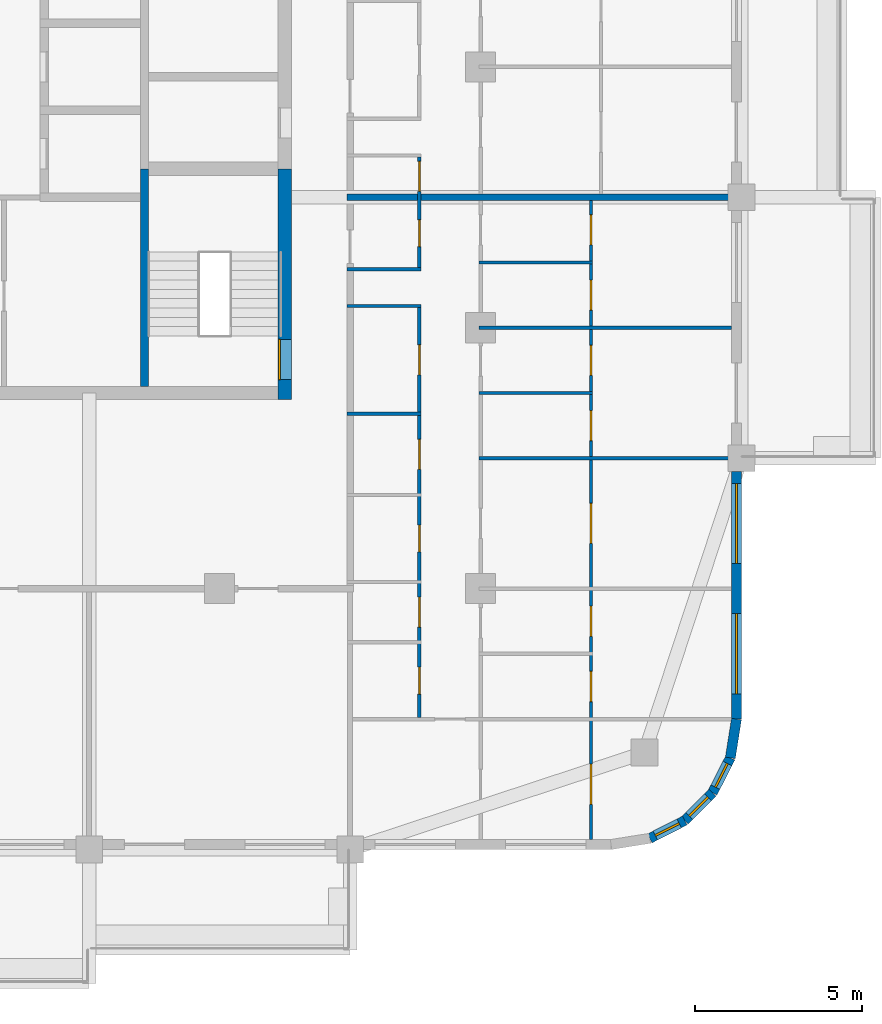
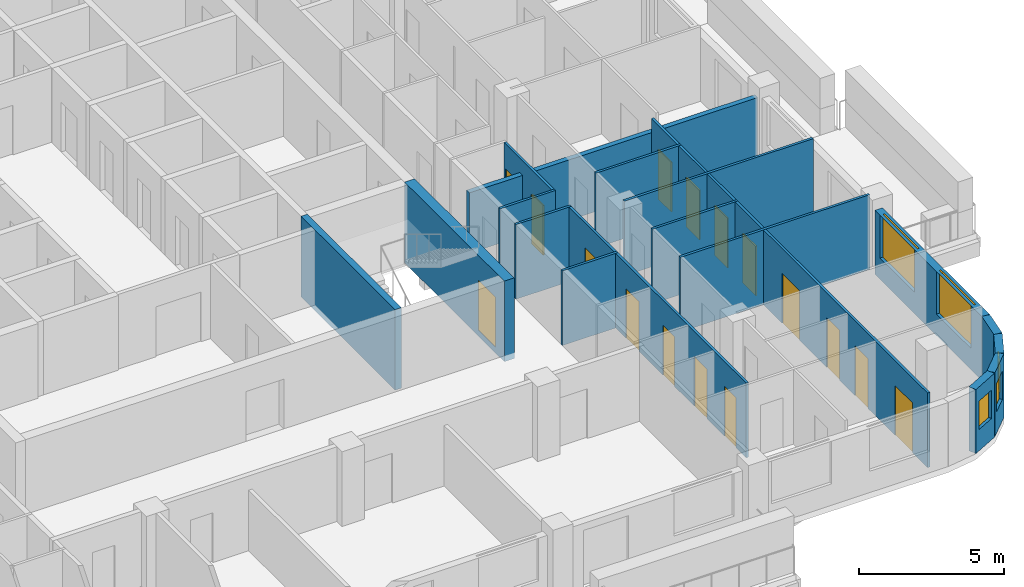
# One storey, part 6 of 16: 18 walls, 16 doors, 5 windows, 21 openings.
"""IFC4 building model written with IfcOpenShell, lengths in metres."""

from ifc_helpers import new_model, si_unit, direction, frame, frame_2d, origin, place, context, subcontext, project, spatial, rectangle, extrude, material, layer, layer_set, type_object, element, fill, save


model = new_model("IFC4")

# Units and contexts
model_context = context("Model", 3, precision=1e-05, world=origin(), true_north=direction((0.0, 1.0)))
body_context = subcontext(model_context, "Body", "Model", "MODEL_VIEW")
ifc_project = project(units=[si_unit("LENGTHUNIT", "METRE"), si_unit("AREAUNIT", "SQUARE_METRE"), si_unit("VOLUMEUNIT", "CUBIC_METRE"), si_unit("PLANEANGLEUNIT", "RADIAN"), si_unit("MASSUNIT", "GRAM", prefix="KILO")], contexts=[model_context])

# Site, building, storey
site_placement = place(None, origin())
site = spatial("IfcSite", under=ifc_project, at=site_placement, CompositionType="ELEMENT")
building_placement = place(site_placement, origin())
building = spatial("IfcBuilding", under=site, at=building_placement, Name="Ludao Terraces", CompositionType="ELEMENT")
storey_placement = place(building_placement, frame((0.0, 0.0, 204.10009765625)))
storey = spatial("IfcBuildingStorey", under=building, at=storey_placement, Name="L55", CompositionType="ELEMENT", Elevation=204.10009765625)

# Wall, opening, door
ifc_material_1 = material(Name="Concrete C50", Category="concrete")
ifc_layer_1 = layer(ifc_material_1, 0.39990234375)
ifc_layer_set_1 = layer_set([ifc_layer_1], Name="Core wall 400 C50")
wall_type_1 = type_object("IfcWallType", Name="Core wall 400 C50", PredefinedType="SOLIDWALL", material=ifc_layer_set_1)
wall_1_placement = place(storey_placement, frame((94.75, 55.050048828125, -0.25), z_axis=(0.0, 0.0, 1.0), x_axis=(0.0, 1.0, 0.0)))
wall_1 = element("IfcWall", 1, at=wall_1_placement, inside=storey, type_object=wall_type_1, Name="Core wall L55 outer-E-S3", PredefinedType="SOLIDWALL", context=body_context, shape_type="SweptSolid", body=[
    extrude(rectangle(XDim=6.89990234375, YDim=0.39990234375, at=frame_2d((3.449951171875, 0.0))), origin(), (0.0, 0.0, 1.0), 3.39990234375),
])
opening_1_placement = place(wall_1_placement, frame((0.60009765625, 0.0, 0.25)))
opening_1 = element("IfcOpeningElement", 2, at=opening_1_placement, cuts=wall_1, Name="Opening R20-037", PredefinedType="OPENING", context=body_context, shape_type="SweptSolid", body=[
    extrude(rectangle(XDim=1.199951171875, YDim=2.10009765625, at=frame_2d((0.60009765625, 1.050048828125))), frame((0.0, 0.2099609375, 0.0), z_axis=(0.0, -1.0, 0.0), x_axis=(1.0, 0.0, 0.0)), (0.0, 0.0, 1.0), 0.419921875),
])
ifc_material_2 = material(Name="Steel Q235", Category="steel")
door_type_1 = type_object("IfcDoorType", Name="INT Stair door 1200", OperationType="DOUBLE_DOOR_SINGLE_SWING", PredefinedType="DOOR", material=ifc_material_2)
door_1_placement = place(opening_1_placement, origin())
door_1 = element("IfcDoor", 3, at=door_1_placement, inside=storey, type_object=door_type_1, Name="DOOR 037", OperationType="DOUBLE_DOOR_SINGLE_SWING", OverallHeight=2.10009765625, OverallWidth=1.199951171875, PredefinedType="DOOR", context=body_context, shape_type="SweptSolid", body=[
    extrude(rectangle(XDim=1.199951171875, YDim=2.10009765625, at=frame_2d((0.60009765625, 1.050048828125))), frame((0.0, 0.18505859375, 0.0), z_axis=(0.0, -1.0, 0.0), x_axis=(1.0, 0.0, 0.0)), (0.0, 0.0, 1.0), 0.050048828125),
])
fill(opening_1, door_1)

# Wall, openings, windows
ifc_material_3 = material(Name="Granite cladding", Category="masonry")
ifc_layer_2 = layer(ifc_material_3, 0.0400390625, Category="stone")
ifc_material_4 = material(Name="Mineral wool")
ifc_layer_3 = layer(ifc_material_4, 0.06005859375)
ifc_material_5 = material(Name="Concrete C40", Category="concrete")
ifc_layer_4 = layer(ifc_material_5, 0.199951171875, Category="concrete")
ifc_layer_set_2 = layer_set([ifc_layer_2, ifc_layer_3, ifc_layer_4], Name="ENV Stone-clad wall 300")
wall_type_2 = type_object("IfcWallType", Name="ENV Stone-clad wall 300", PredefinedType="SOLIDWALL", material=ifc_layer_set_2)
wall_2_placement = place(storey_placement, frame((108.25, 45.5, 0.0), z_axis=(0.0, 0.0, 1.0), x_axis=(0.0, 1.0, 0.0)))
wall_2 = element("IfcWall", 4, at=wall_2_placement, inside=storey, type_object=wall_type_2, Name="EW-L55-E1", PredefinedType="SOLIDWALL", context=body_context, shape_type="SweptSolid", body=[
    extrude(rectangle(XDim=7.39990234375, YDim=0.300048828125, at=frame_2d((3.699951171875, 0.0))), origin(), (0.0, 0.0, 1.0), 2.699951171875),
])
opening_2_placement = place(wall_2_placement, frame((0.75, 0.0, 0.89990234375)))
opening_2 = element("IfcOpeningElement", 5, at=opening_2_placement, cuts=wall_2, Name="Opening W1", PredefinedType="OPENING", context=body_context, shape_type="SweptSolid", body=[
    extrude(rectangle(XDim=2.39990234375, YDim=1.800048828125, at=frame_2d((1.199951171875, 0.89990234375))), frame((0.0, 0.16015625, 0.0), z_axis=(0.0, -1.0, 0.0), x_axis=(1.0, 0.0, 0.0)), (0.0, 0.0, 1.0), 0.320068359375),
])
opening_3_placement = place(wall_2_placement, frame((4.64990234375, 0.0, 0.89990234375)))
opening_3 = element("IfcOpeningElement", 6, at=opening_3_placement, cuts=wall_2, Name="Opening W1", PredefinedType="OPENING", context=body_context, shape_type="SweptSolid", body=[
    extrude(rectangle(XDim=2.39990234375, YDim=1.800048828125, at=frame_2d((1.199951171875, 0.89990234375))), frame((0.0, 0.16015625, 0.0), z_axis=(0.0, -1.0, 0.0), x_axis=(1.0, 0.0, 0.0)), (0.0, 0.0, 1.0), 0.320068359375),
])
ifc_material_6 = material(Name="Clear glass in aluminium frame", Category="aluminium")
ifc_layer_5 = layer(ifc_material_6, 0.06005859375)
ifc_layer_set_3 = layer_set([ifc_layer_5], Name="ENV Window W1 2400x1800")
window_type_1 = type_object("IfcWindowType", Name="ENV Window W1 2400x1800", PartitioningType="DOUBLE_PANEL_VERTICAL", PredefinedType="WINDOW", material=ifc_layer_set_3)
window_1_placement = place(opening_2_placement, origin())
window_1 = element("IfcWindow", 7, at=window_1_placement, inside=storey, type_object=window_type_1, Name="W-L55-E1-1", OverallHeight=1.800048828125, OverallWidth=2.39990234375, PartitioningType="DOUBLE_PANEL_VERTICAL", PredefinedType="WINDOW", context=body_context, shape_type="SweptSolid", body=[
    extrude(rectangle(XDim=2.39990234375, YDim=1.800048828125, at=frame_2d((1.199951171875, 0.89990234375))), frame((0.0, 0.030029296875, 0.0), z_axis=(0.0, -1.0, 0.0), x_axis=(1.0, 0.0, 0.0)), (0.0, 0.0, 1.0), 0.06005859375),
])
fill(opening_2, window_1)
window_2_placement = place(opening_3_placement, origin())
window_2 = element("IfcWindow", 8, at=window_2_placement, inside=storey, type_object=window_type_1, Name="W-L55-E1-2", OverallHeight=1.800048828125, OverallWidth=2.39990234375, PartitioningType="DOUBLE_PANEL_VERTICAL", PredefinedType="WINDOW", context=body_context, shape_type="SweptSolid", body=[
    extrude(rectangle(XDim=2.39990234375, YDim=1.800048828125, at=frame_2d((1.199951171875, 0.89990234375))), frame((0.0, 0.030029296875, 0.0), z_axis=(0.0, -1.0, 0.0), x_axis=(1.0, 0.0, 0.0)), (0.0, 0.0, 1.0), 0.06005859375),
])
fill(opening_3, window_2)

# Wall, opening, window
wall_3_placement = place(storey_placement, frame((105.65869140625, 41.93359375, 0.0), z_axis=(0.0, 0.0, 1.0), x_axis=(0.890988677504, 0.454025524128, 0.0)))
wall_3 = element("IfcWall", 9, at=wall_3_placement, inside=storey, type_object=wall_type_2, Name="EW-L55-SE2", PredefinedType="SOLIDWALL", context=body_context, shape_type="SweptSolid", body=[
    extrude(rectangle(XDim=1.17333984375, YDim=0.300048828125, at=frame_2d((0.586669921875, 0.0))), origin(), (0.0, 0.0, 1.0), 2.699951171875),
])
opening_4_placement = place(wall_3_placement, frame((0.1865234375, 0.0, 0.89990234375)))
opening_4 = element("IfcOpeningElement", 10, at=opening_4_placement, cuts=wall_3, Name="Opening W3", PredefinedType="OPENING", context=body_context, shape_type="SweptSolid", body=[
    extrude(rectangle(XDim=0.800048828125, YDim=1.199951171875, at=frame_2d((0.39990234375, 0.60009765625))), frame((0.0, 0.16015625, 0.0), z_axis=(0.0, -1.0, 0.0), x_axis=(1.0, 0.0, 0.0)), (0.0, 0.0, 1.0), 0.320068359375),
])
ifc_layer_6 = layer(ifc_material_6, 0.06005859375)
ifc_layer_set_4 = layer_set([ifc_layer_6], Name="ENV Window W3 800x1200")
window_type_2 = type_object("IfcWindowType", Name="ENV Window W3 800x1200", PartitioningType="SINGLE_PANEL", PredefinedType="WINDOW", material=ifc_layer_set_4)
window_3_placement = place(opening_4_placement, origin())
window_3 = element("IfcWindow", 11, at=window_3_placement, inside=storey, type_object=window_type_2, Name="W-L55-SE2", OverallHeight=1.199951171875, OverallWidth=0.800048828125, PartitioningType="SINGLE_PANEL", PredefinedType="WINDOW", context=body_context, shape_type="SweptSolid", body=[
    extrude(rectangle(XDim=0.800048828125, YDim=1.199951171875, at=frame_2d((0.39990234375, 0.60009765625))), frame((0.0, 0.030029296875, 0.0), z_axis=(0.0, -1.0, 0.0), x_axis=(1.0, 0.0, 0.0)), (0.0, 0.0, 1.0), 0.06005859375),
])
fill(opening_4, window_3)

wall_4_placement = place(storey_placement, frame((106.7041015625, 42.46630859375, 0.0), z_axis=(0.0, 0.0, 1.0), x_axis=(0.707106781187, 0.707106781187, 0.0)))
wall_4 = element("IfcWall", 12, at=wall_4_placement, inside=storey, type_object=wall_type_2, Name="EW-L55-SE3", PredefinedType="SOLIDWALL", context=body_context, shape_type="SweptSolid", body=[
    extrude(rectangle(XDim=1.173095703125, YDim=0.300048828125, at=frame_2d((0.58642578125, 0.0))), origin(), (0.0, 0.0, 1.0), 2.699951171875),
])
opening_5_placement = place(wall_4_placement, frame((0.1865234375, 0.0, 0.89990234375)))
opening_5 = element("IfcOpeningElement", 13, at=opening_5_placement, cuts=wall_4, Name="Opening W3", PredefinedType="OPENING", context=body_context, shape_type="SweptSolid", body=[
    extrude(rectangle(XDim=0.800048828125, YDim=1.199951171875, at=frame_2d((0.39990234375, 0.60009765625))), frame((0.0, 0.16015625, 0.0), z_axis=(0.0, -1.0, 0.0), x_axis=(1.0, 0.0, 0.0)), (0.0, 0.0, 1.0), 0.320068359375),
])
window_4_placement = place(opening_5_placement, origin())
window_4 = element("IfcWindow", 14, at=window_4_placement, inside=storey, type_object=window_type_2, Name="W-L55-SE3", OverallHeight=1.199951171875, OverallWidth=0.800048828125, PartitioningType="SINGLE_PANEL", PredefinedType="WINDOW", context=body_context, shape_type="SweptSolid", body=[
    extrude(rectangle(XDim=0.800048828125, YDim=1.199951171875, at=frame_2d((0.39990234375, 0.60009765625))), frame((0.0, 0.030029296875, 0.0), z_axis=(0.0, -1.0, 0.0), x_axis=(1.0, 0.0, 0.0)), (0.0, 0.0, 1.0), 0.06005859375),
])
fill(opening_5, window_4)

wall_5_placement = place(storey_placement, frame((107.53369140625, 43.2958984375, 0.0), z_axis=(0.0, 0.0, 1.0), x_axis=(0.454025524128, 0.890988677504, 0.0)))
wall_5 = element("IfcWall", 15, at=wall_5_placement, inside=storey, type_object=wall_type_2, Name="EW-L55-SE4", PredefinedType="SOLIDWALL", context=body_context, shape_type="SweptSolid", body=[
    extrude(rectangle(XDim=1.17333984375, YDim=0.300048828125, at=frame_2d((0.586669921875, 0.0))), origin(), (0.0, 0.0, 1.0), 2.699951171875),
])
opening_6_placement = place(wall_5_placement, frame((0.1865234375, 0.0, 0.89990234375)))
opening_6 = element("IfcOpeningElement", 16, at=opening_6_placement, cuts=wall_5, Name="Opening W3", PredefinedType="OPENING", context=body_context, shape_type="SweptSolid", body=[
    extrude(rectangle(XDim=0.800048828125, YDim=1.199951171875, at=frame_2d((0.39990234375, 0.60009765625))), frame((0.0, 0.16015625, 0.0), z_axis=(0.0, -1.0, 0.0), x_axis=(1.0, 0.0, 0.0)), (0.0, 0.0, 1.0), 0.320068359375),
])
window_5_placement = place(opening_6_placement, origin())
window_5 = element("IfcWindow", 17, at=window_5_placement, inside=storey, type_object=window_type_2, Name="W-L55-SE4", OverallHeight=1.199951171875, OverallWidth=0.800048828125, PartitioningType="SINGLE_PANEL", PredefinedType="WINDOW", context=body_context, shape_type="SweptSolid", body=[
    extrude(rectangle(XDim=0.800048828125, YDim=1.199951171875, at=frame_2d((0.39990234375, 0.60009765625))), frame((0.0, 0.030029296875, 0.0), z_axis=(0.0, -1.0, 0.0), x_axis=(1.0, 0.0, 0.0)), (0.0, 0.0, 1.0), 0.06005859375),
])
fill(opening_6, window_5)

# Walls
wall_6_placement = place(storey_placement, frame((108.06640625, 44.34130859375, 0.0), z_axis=(0.0, 0.0, 1.0), x_axis=(0.156496880861, 0.987678452879, 0.0)))
element("IfcWall", 18, at=wall_6_placement, inside=storey, type_object=wall_type_2, Name="EW-L55-SE5", PredefinedType="SOLIDWALL", context=body_context, shape_type="SweptSolid", body=[
    extrude(rectangle(XDim=1.173095703125, YDim=0.300048828125, at=frame_2d((0.58642578125, 0.0))), origin(), (0.0, 0.0, 1.0), 2.699951171875),
])
ifc_material_7 = material(Name="Gypsum plasterboard", Category="gypsum")
ifc_layer_7 = layer(ifc_material_7, 0.012451171875, Category="gypsum")
ifc_layer_8 = layer(ifc_material_4, 0.06005859375, Name="insulation")
ifc_layer_9 = layer(ifc_material_2, 0.014892578125, Name="stud")
ifc_layer_10 = layer(ifc_material_7, 0.012451171875, Category="gypsum")
ifc_layer_set_5 = layer_set([ifc_layer_7, ifc_layer_8, ifc_layer_9, ifc_layer_10], Name="INT Partition 100")
wall_type_3 = type_object("IfcWallType", Name="INT Partition 100", PredefinedType="PARTITIONING", material=ifc_layer_set_5)
wall_7_placement = place(storey_placement, frame((100.550048828125, 53.300048828125, 0.0), z_axis=(0.0, 0.0, 1.0), x_axis=(1.0, 0.0, 0.0)))
element("IfcWall", 19, at=wall_7_placement, inside=storey, type_object=wall_type_3, Name="PW-L55-PW013", PredefinedType="PARTITIONING", context=body_context, shape_type="SweptSolid", body=[
    extrude(rectangle(XDim=7.550048828125, YDim=0.10009765625, at=frame_2d((3.77490234375, 0.0))), origin(), (0.0, 0.0, 1.0), 3.14990234375),
])
wall_8_placement = place(storey_placement, frame((96.60009765625, 54.6298828125, 0.0), z_axis=(0.0, 0.0, 1.0), x_axis=(1.0, 0.0, 0.0)))
element("IfcWall", 20, at=wall_8_placement, inside=storey, type_object=wall_type_3, Name="PW-L55-PW015", PredefinedType="PARTITIONING", context=body_context, shape_type="SweptSolid", body=[
    extrude(rectangle(XDim=2.219970703125, YDim=0.10009765625, at=frame_2d((1.10986328125, 0.0))), origin(), (0.0, 0.0, 1.0), 3.14990234375),
])
wall_9_placement = place(storey_placement, frame((100.550048828125, 55.25, 0.0), z_axis=(0.0, 0.0, 1.0), x_axis=(1.0, 0.0, 0.0)))
element("IfcWall", 21, at=wall_9_placement, inside=storey, type_object=wall_type_3, Name="PW-L55-PW017", PredefinedType="PARTITIONING", context=body_context, shape_type="SweptSolid", body=[
    extrude(rectangle(XDim=3.400146484375, YDim=0.10009765625, at=frame_2d((1.7001953125, 0.0))), origin(), (0.0, 0.0, 1.0), 3.14990234375),
])
wall_10_placement = place(storey_placement, frame((100.550048828125, 57.199951171875, 0.0), z_axis=(0.0, 0.0, 1.0), x_axis=(1.0, 0.0, 0.0)))
element("IfcWall", 22, at=wall_10_placement, inside=storey, type_object=wall_type_3, Name="PW-L55-PW020", PredefinedType="PARTITIONING", context=body_context, shape_type="SweptSolid", body=[
    extrude(rectangle(XDim=7.550048828125, YDim=0.10009765625, at=frame_2d((3.77490234375, 0.0))), origin(), (0.0, 0.0, 1.0), 3.14990234375),
])
for number, where, z_axis, x_axis, name in (
    (23, (96.60009765625, 57.85009765625, 0.0), (0.0, 0.0, 1.0), (1.0, 0.0, 0.0), "PW-L55-PW021"),
    (24, (96.60009765625, 58.949951171875, 0.0), (0.0, 0.0, 1.0), (1.0, 0.0, 0.0), "PW-L55-PW023"),
):
    element("IfcWall", number, at=place(storey_placement, frame(where, z_axis=z_axis, x_axis=x_axis)), inside=storey, type_object=wall_type_3, Name=name, PredefinedType="PARTITIONING", context=body_context, shape_type="SweptSolid", body=[
        extrude(rectangle(XDim=2.219970703125, YDim=0.10009765625, at=frame_2d((1.10986328125, 0.0))), origin(), (0.0, 0.0, 1.0), 3.14990234375),
    ])
wall_11_placement = place(storey_placement, frame((100.550048828125, 59.14990234375, 0.0), z_axis=(0.0, 0.0, 1.0), x_axis=(1.0, 0.0, 0.0)))
element("IfcWall", 25, at=wall_11_placement, inside=storey, type_object=wall_type_3, Name="PW-L55-PW025", PredefinedType="PARTITIONING", context=body_context, shape_type="SweptSolid", body=[
    extrude(rectangle(XDim=3.400146484375, YDim=0.10009765625, at=frame_2d((1.7001953125, 0.0))), origin(), (0.0, 0.0, 1.0), 3.14990234375),
])

# Wall, openings, doors
wall_12_placement = place(storey_placement, frame((98.77001953125, 45.550048828125, 0.0), z_axis=(0.0, 0.0, 1.0), x_axis=(0.0, 1.0, 0.0)))
wall_12 = element("IfcWall", 26, at=wall_12_placement, inside=storey, type_object=wall_type_3, Name="PW-L55-PW092", PredefinedType="PARTITIONING", context=body_context, shape_type="SweptSolid", body=[
    extrude(rectangle(XDim=12.25, YDim=0.10009765625, at=frame_2d((6.125, 0.0))), origin(), (0.0, 0.0, 1.0), 3.14990234375),
])
opening_7_placement = place(wall_12_placement, frame((0.699951171875, 0.0, 0.0)))
opening_7 = element("IfcOpeningElement", 27, at=opening_7_placement, cuts=wall_12, Name="Opening R20-008", PredefinedType="OPENING", context=body_context, shape_type="SweptSolid", body=[
    extrude(rectangle(XDim=0.800048828125, YDim=2.10009765625, at=frame_2d((0.39990234375, 1.050048828125))), frame((0.0, 0.06005859375, 0.0), z_axis=(0.0, -1.0, 0.0), x_axis=(1.0, 0.0, 0.0)), (0.0, 0.0, 1.0), 0.1201171875),
])
opening_8_placement = place(wall_12_placement, frame((2.699951171875, 0.0, 0.0)))
opening_8 = element("IfcOpeningElement", 28, at=opening_8_placement, cuts=wall_12, Name="Opening R20-014", PredefinedType="OPENING", context=body_context, shape_type="SweptSolid", body=[
    extrude(rectangle(XDim=0.89990234375, YDim=2.10009765625, at=frame_2d((0.449951171875, 1.050048828125))), frame((0.0, 0.06005859375, 0.0), z_axis=(0.0, -1.0, 0.0), x_axis=(1.0, 0.0, 0.0)), (0.0, 0.0, 1.0), 0.1201171875),
])
opening_9_placement = place(wall_12_placement, frame((4.949951171875, 0.0, 0.0)))
opening_9 = element("IfcOpeningElement", 29, at=opening_9_placement, cuts=wall_12, Name="Opening R20-021", PredefinedType="OPENING", context=body_context, shape_type="SweptSolid", body=[
    extrude(rectangle(XDim=0.800048828125, YDim=2.10009765625, at=frame_2d((0.39990234375, 1.050048828125))), frame((0.0, 0.06005859375, 0.0), z_axis=(0.0, -1.0, 0.0), x_axis=(1.0, 0.0, 0.0)), (0.0, 0.0, 1.0), 0.1201171875),
])
opening_10_placement = place(wall_12_placement, frame((7.4150390625, 0.0, 0.0)))
opening_10 = element("IfcOpeningElement", 30, at=opening_10_placement, cuts=wall_12, Name="Opening R20-028", PredefinedType="OPENING", context=body_context, shape_type="SweptSolid", body=[
    extrude(rectangle(XDim=0.89990234375, YDim=2.10009765625, at=frame_2d((0.449951171875, 1.050048828125))), frame((0.0, 0.06005859375, 0.0), z_axis=(0.0, -1.0, 0.0), x_axis=(1.0, 0.0, 0.0)), (0.0, 0.0, 1.0), 0.1201171875),
])
opening_11_placement = place(wall_12_placement, frame((10.239990234375, 0.0, 0.0)))
opening_11 = element("IfcOpeningElement", 31, at=opening_11_placement, cuts=wall_12, Name="Opening R20-036", PredefinedType="OPENING", context=body_context, shape_type="SweptSolid", body=[
    extrude(rectangle(XDim=0.89990234375, YDim=2.10009765625, at=frame_2d((0.449951171875, 1.050048828125))), frame((0.0, 0.06005859375, 0.0), z_axis=(0.0, -1.0, 0.0), x_axis=(1.0, 0.0, 0.0)), (0.0, 0.0, 1.0), 0.1201171875),
])
ifc_material_8 = material(Name="Timber door leaf", Category="wood")
door_type_2 = type_object("IfcDoorType", Name="INT Bathroom door 900", OperationType="SINGLE_SWING_LEFT", PredefinedType="DOOR", material=ifc_material_8)
door_2_placement = place(opening_8_placement, origin())
door_2 = element("IfcDoor", 32, at=door_2_placement, inside=storey, type_object=door_type_2, Name="DOOR 014", OperationType="SINGLE_SWING_RIGHT", OverallHeight=2.10009765625, OverallWidth=0.89990234375, PredefinedType="DOOR", context=body_context, shape_type="SweptSolid", body=[
    extrude(rectangle(XDim=0.89990234375, YDim=2.10009765625, at=frame_2d((0.449951171875, 1.050048828125))), frame((0.0, 0.02490234375, 0.0), z_axis=(0.0, -1.0, 0.0), x_axis=(1.0, 0.0, 0.0)), (0.0, 0.0, 1.0), 0.050048828125),
])
fill(opening_8, door_2)
door_3_placement = place(opening_10_placement, origin())
door_3 = element("IfcDoor", 33, at=door_3_placement, inside=storey, type_object=door_type_2, Name="DOOR 028", OperationType="SINGLE_SWING_LEFT", OverallHeight=2.10009765625, OverallWidth=0.89990234375, PredefinedType="DOOR", context=body_context, shape_type="SweptSolid", body=[
    extrude(rectangle(XDim=0.89990234375, YDim=2.10009765625, at=frame_2d((0.449951171875, 1.050048828125))), frame((0.0, 0.02490234375, 0.0), z_axis=(0.0, -1.0, 0.0), x_axis=(1.0, 0.0, 0.0)), (0.0, 0.0, 1.0), 0.050048828125),
])
fill(opening_10, door_3)
door_type_3 = type_object("IfcDoorType", Name="INT Room door 900", OperationType="SINGLE_SWING_LEFT", PredefinedType="DOOR", material=ifc_material_8)
door_4_placement = place(opening_11_placement, origin())
door_4 = element("IfcDoor", 34, at=door_4_placement, inside=storey, type_object=door_type_3, Name="DOOR 036", OperationType="SINGLE_SWING_LEFT", OverallHeight=2.10009765625, OverallWidth=0.89990234375, PredefinedType="DOOR", context=body_context, shape_type="SweptSolid", body=[
    extrude(rectangle(XDim=0.89990234375, YDim=2.10009765625, at=frame_2d((0.449951171875, 1.050048828125))), frame((0.0, 0.02490234375, 0.0), z_axis=(0.0, -1.0, 0.0), x_axis=(1.0, 0.0, 0.0)), (0.0, 0.0, 1.0), 0.050048828125),
])
fill(opening_11, door_4)
door_type_4 = type_object("IfcDoorType", Name="INT Store door 800", OperationType="SINGLE_SWING_LEFT", PredefinedType="DOOR", material=ifc_material_8)
door_5_placement = place(opening_7_placement, origin())
door_5 = element("IfcDoor", 35, at=door_5_placement, inside=storey, type_object=door_type_4, Name="DOOR 008", OperationType="SINGLE_SWING_RIGHT", OverallHeight=2.10009765625, OverallWidth=0.800048828125, PredefinedType="DOOR", context=body_context, shape_type="SweptSolid", body=[
    extrude(rectangle(XDim=0.800048828125, YDim=2.10009765625, at=frame_2d((0.39990234375, 1.050048828125))), frame((0.0, 0.02490234375, 0.0), z_axis=(0.0, -1.0, 0.0), x_axis=(1.0, 0.0, 0.0)), (0.0, 0.0, 1.0), 0.050048828125),
])
fill(opening_7, door_5)
door_6_placement = place(opening_9_placement, origin())
door_6 = element("IfcDoor", 36, at=door_6_placement, inside=storey, type_object=door_type_4, Name="DOOR 021", OperationType="SINGLE_SWING_LEFT", OverallHeight=2.10009765625, OverallWidth=0.800048828125, PredefinedType="DOOR", context=body_context, shape_type="SweptSolid", body=[
    extrude(rectangle(XDim=0.800048828125, YDim=2.10009765625, at=frame_2d((0.39990234375, 1.050048828125))), frame((0.0, 0.02490234375, 0.0), z_axis=(0.0, -1.0, 0.0), x_axis=(1.0, 0.0, 0.0)), (0.0, 0.0, 1.0), 0.050048828125),
])
fill(opening_9, door_6)

wall_13_placement = place(storey_placement, frame((98.77001953125, 59.0, 0.0), z_axis=(0.0, 0.0, 1.0), x_axis=(0.0, 1.0, 0.0)))
wall_13 = element("IfcWall", 37, at=wall_13_placement, inside=storey, type_object=wall_type_3, Name="PW-L55-PW093", PredefinedType="PARTITIONING", context=body_context, shape_type="SweptSolid", body=[
    extrude(rectangle(XDim=3.300048828125, YDim=0.10009765625, at=frame_2d((1.64990234375, 0.0))), origin(), (0.0, 0.0, 1.0), 3.14990234375),
])
opening_12_placement = place(wall_13_placement, frame((0.625, 0.0, 0.0)))
opening_12 = element("IfcOpeningElement", 38, at=opening_12_placement, cuts=wall_13, Name="Opening R20-044", PredefinedType="OPENING", context=body_context, shape_type="SweptSolid", body=[
    extrude(rectangle(XDim=0.800048828125, YDim=2.10009765625, at=frame_2d((0.39990234375, 1.050048828125))), frame((0.0, 0.06005859375, 0.0), z_axis=(0.0, -1.0, 0.0), x_axis=(1.0, 0.0, 0.0)), (0.0, 0.0, 1.0), 0.1201171875),
])
opening_13_placement = place(wall_13_placement, frame((2.275146484375, 0.0, 0.0)))
opening_13 = element("IfcOpeningElement", 39, at=opening_13_placement, cuts=wall_13, Name="Opening R20-050", PredefinedType="OPENING", context=body_context, shape_type="SweptSolid", body=[
    extrude(rectangle(XDim=0.89990234375, YDim=2.10009765625, at=frame_2d((0.449951171875, 1.050048828125))), frame((0.0, 0.06005859375, 0.0), z_axis=(0.0, -1.0, 0.0), x_axis=(1.0, 0.0, 0.0)), (0.0, 0.0, 1.0), 0.1201171875),
])
door_7_placement = place(opening_13_placement, origin())
door_7 = element("IfcDoor", 40, at=door_7_placement, inside=storey, type_object=door_type_2, Name="DOOR 050", OperationType="SINGLE_SWING_LEFT", OverallHeight=2.10009765625, OverallWidth=0.89990234375, PredefinedType="DOOR", context=body_context, shape_type="SweptSolid", body=[
    extrude(rectangle(XDim=0.89990234375, YDim=2.10009765625, at=frame_2d((0.449951171875, 1.050048828125))), frame((0.0, 0.02490234375, 0.0), z_axis=(0.0, -1.0, 0.0), x_axis=(1.0, 0.0, 0.0)), (0.0, 0.0, 1.0), 0.050048828125),
])
fill(opening_13, door_7)
door_8_placement = place(opening_12_placement, origin())
door_8 = element("IfcDoor", 41, at=door_8_placement, inside=storey, type_object=door_type_4, Name="DOOR 044", OperationType="SINGLE_SWING_RIGHT", OverallHeight=2.10009765625, OverallWidth=0.800048828125, PredefinedType="DOOR", context=body_context, shape_type="SweptSolid", body=[
    extrude(rectangle(XDim=0.800048828125, YDim=2.10009765625, at=frame_2d((0.39990234375, 1.050048828125))), frame((0.0, 0.02490234375, 0.0), z_axis=(0.0, -1.0, 0.0), x_axis=(1.0, 0.0, 0.0)), (0.0, 0.0, 1.0), 0.050048828125),
])
fill(opening_12, door_8)

wall_14_placement = place(storey_placement, frame((103.89990234375, 41.900146484375, 0.0), z_axis=(0.0, 0.0, 1.0), x_axis=(0.0, 1.0, 0.0)))
wall_14 = element("IfcWall", 42, at=wall_14_placement, inside=storey, type_object=wall_type_3, Name="PW-L55-PW097", PredefinedType="PARTITIONING", context=body_context, shape_type="SweptSolid", body=[
    extrude(rectangle(XDim=19.099853515625, YDim=0.10009765625, at=frame_2d((9.5498046875, 0.0))), origin(), (0.0, 0.0, 1.0), 3.14990234375),
])
opening_14_placement = place(wall_14_placement, frame((1.050048828125, 0.0, 0.0)))
opening_14 = element("IfcOpeningElement", 43, at=opening_14_placement, cuts=wall_14, Name="Opening R20-004", PredefinedType="OPENING", context=body_context, shape_type="SweptSolid", body=[
    extrude(rectangle(XDim=1.199951171875, YDim=2.10009765625, at=frame_2d((0.60009765625, 1.050048828125))), frame((0.0, 0.06005859375, 0.0), z_axis=(0.0, -1.0, 0.0), x_axis=(1.0, 0.0, 0.0)), (0.0, 0.0, 1.0), 0.1201171875),
])
opening_15_placement = place(wall_14_placement, frame((4.125, 0.0, 0.0)))
opening_15 = element("IfcOpeningElement", 44, at=opening_15_placement, cuts=wall_14, Name="Opening R20-007", PredefinedType="OPENING", context=body_context, shape_type="SweptSolid", body=[
    extrude(rectangle(XDim=0.89990234375, YDim=2.10009765625, at=frame_2d((0.449951171875, 1.050048828125))), frame((0.0, 0.06005859375, 0.0), z_axis=(0.0, -1.0, 0.0), x_axis=(1.0, 0.0, 0.0)), (0.0, 0.0, 1.0), 0.1201171875),
])
opening_16_placement = place(wall_14_placement, frame((6.074951171875, 0.0, 0.0)))
opening_16 = element("IfcOpeningElement", 45, at=opening_16_placement, cuts=wall_14, Name="Opening R20-013", PredefinedType="OPENING", context=body_context, shape_type="SweptSolid", body=[
    extrude(rectangle(XDim=0.89990234375, YDim=2.10009765625, at=frame_2d((0.449951171875, 1.050048828125))), frame((0.0, 0.06005859375, 0.0), z_axis=(0.0, -1.0, 0.0), x_axis=(1.0, 0.0, 0.0)), (0.0, 0.0, 1.0), 0.1201171875),
])
opening_17_placement = place(wall_14_placement, frame((8.85009765625, 0.0, 0.0)))
opening_17 = element("IfcOpeningElement", 46, at=opening_17_placement, cuts=wall_14, Name="Opening R20-023", PredefinedType="OPENING", context=body_context, shape_type="SweptSolid", body=[
    extrude(rectangle(XDim=1.199951171875, YDim=2.10009765625, at=frame_2d((0.60009765625, 1.050048828125))), frame((0.0, 0.06005859375, 0.0), z_axis=(0.0, -1.0, 0.0), x_axis=(1.0, 0.0, 0.0)), (0.0, 0.0, 1.0), 0.1201171875),
])
opening_18_placement = place(wall_14_placement, frame((11.925048828125, 0.0, 0.0)))
opening_18 = element("IfcOpeningElement", 47, at=opening_18_placement, cuts=wall_14, Name="Opening R20-029", PredefinedType="OPENING", context=body_context, shape_type="SweptSolid", body=[
    extrude(rectangle(XDim=0.89990234375, YDim=2.10009765625, at=frame_2d((0.449951171875, 1.050048828125))), frame((0.0, 0.06005859375, 0.0), z_axis=(0.0, -1.0, 0.0), x_axis=(1.0, 0.0, 0.0)), (0.0, 0.0, 1.0), 0.1201171875),
])
opening_19_placement = place(wall_14_placement, frame((13.875, 0.0, 0.0)))
opening_19 = element("IfcOpeningElement", 48, at=opening_19_placement, cuts=wall_14, Name="Opening R20-035", PredefinedType="OPENING", context=body_context, shape_type="SweptSolid", body=[
    extrude(rectangle(XDim=0.89990234375, YDim=2.10009765625, at=frame_2d((0.449951171875, 1.050048828125))), frame((0.0, 0.06005859375, 0.0), z_axis=(0.0, -1.0, 0.0), x_axis=(1.0, 0.0, 0.0)), (0.0, 0.0, 1.0), 0.1201171875),
])
opening_20_placement = place(wall_14_placement, frame((15.824951171875, 0.0, 0.0)))
opening_20 = element("IfcOpeningElement", 49, at=opening_20_placement, cuts=wall_14, Name="Opening R20-041", PredefinedType="OPENING", context=body_context, shape_type="SweptSolid", body=[
    extrude(rectangle(XDim=0.89990234375, YDim=2.10009765625, at=frame_2d((0.449951171875, 1.050048828125))), frame((0.0, 0.06005859375, 0.0), z_axis=(0.0, -1.0, 0.0), x_axis=(1.0, 0.0, 0.0)), (0.0, 0.0, 1.0), 0.1201171875),
])
opening_21_placement = place(wall_14_placement, frame((17.77490234375, 0.0, 0.0)))
opening_21 = element("IfcOpeningElement", 50, at=opening_21_placement, cuts=wall_14, Name="Opening R20-048", PredefinedType="OPENING", context=body_context, shape_type="SweptSolid", body=[
    extrude(rectangle(XDim=0.89990234375, YDim=2.10009765625, at=frame_2d((0.449951171875, 1.050048828125))), frame((0.0, 0.06005859375, 0.0), z_axis=(0.0, -1.0, 0.0), x_axis=(1.0, 0.0, 0.0)), (0.0, 0.0, 1.0), 0.1201171875),
])
door_9_placement = place(opening_15_placement, origin())
door_9 = element("IfcDoor", 51, at=door_9_placement, inside=storey, type_object=door_type_2, Name="DOOR 007", OperationType="SINGLE_SWING_RIGHT", OverallHeight=2.10009765625, OverallWidth=0.89990234375, PredefinedType="DOOR", context=body_context, shape_type="SweptSolid", body=[
    extrude(rectangle(XDim=0.89990234375, YDim=2.10009765625, at=frame_2d((0.449951171875, 1.050048828125))), frame((0.0, 0.02490234375, 0.0), z_axis=(0.0, -1.0, 0.0), x_axis=(1.0, 0.0, 0.0)), (0.0, 0.0, 1.0), 0.050048828125),
])
fill(opening_15, door_9)
door_10_placement = place(opening_18_placement, origin())
door_10 = element("IfcDoor", 52, at=door_10_placement, inside=storey, type_object=door_type_2, Name="DOOR 029", OperationType="SINGLE_SWING_LEFT", OverallHeight=2.10009765625, OverallWidth=0.89990234375, PredefinedType="DOOR", context=body_context, shape_type="SweptSolid", body=[
    extrude(rectangle(XDim=0.89990234375, YDim=2.10009765625, at=frame_2d((0.449951171875, 1.050048828125))), frame((0.0, 0.02490234375, 0.0), z_axis=(0.0, -1.0, 0.0), x_axis=(1.0, 0.0, 0.0)), (0.0, 0.0, 1.0), 0.050048828125),
])
fill(opening_18, door_10)
door_11_placement = place(opening_20_placement, origin())
door_11 = element("IfcDoor", 53, at=door_11_placement, inside=storey, type_object=door_type_2, Name="DOOR 041", OperationType="SINGLE_SWING_LEFT", OverallHeight=2.10009765625, OverallWidth=0.89990234375, PredefinedType="DOOR", context=body_context, shape_type="SweptSolid", body=[
    extrude(rectangle(XDim=0.89990234375, YDim=2.10009765625, at=frame_2d((0.449951171875, 1.050048828125))), frame((0.0, 0.02490234375, 0.0), z_axis=(0.0, -1.0, 0.0), x_axis=(1.0, 0.0, 0.0)), (0.0, 0.0, 1.0), 0.050048828125),
])
fill(opening_20, door_11)
door_type_5 = type_object("IfcDoorType", Name="INT Double door 1200", OperationType="DOUBLE_DOOR_SINGLE_SWING", PredefinedType="DOOR", material=ifc_material_8)
door_12_placement = place(opening_14_placement, origin())
door_12 = element("IfcDoor", 54, at=door_12_placement, inside=storey, type_object=door_type_5, Name="DOOR 004", OperationType="DOUBLE_DOOR_SINGLE_SWING", OverallHeight=2.10009765625, OverallWidth=1.199951171875, PredefinedType="DOOR", context=body_context, shape_type="SweptSolid", body=[
    extrude(rectangle(XDim=1.199951171875, YDim=2.10009765625, at=frame_2d((0.60009765625, 1.050048828125))), frame((0.0, 0.02490234375, 0.0), z_axis=(0.0, -1.0, 0.0), x_axis=(1.0, 0.0, 0.0)), (0.0, 0.0, 1.0), 0.050048828125),
])
fill(opening_14, door_12)
door_13_placement = place(opening_17_placement, origin())
door_13 = element("IfcDoor", 55, at=door_13_placement, inside=storey, type_object=door_type_5, Name="DOOR 023", OperationType="DOUBLE_DOOR_SINGLE_SWING", OverallHeight=2.10009765625, OverallWidth=1.199951171875, PredefinedType="DOOR", context=body_context, shape_type="SweptSolid", body=[
    extrude(rectangle(XDim=1.199951171875, YDim=2.10009765625, at=frame_2d((0.60009765625, 1.050048828125))), frame((0.0, 0.02490234375, 0.0), z_axis=(0.0, -1.0, 0.0), x_axis=(1.0, 0.0, 0.0)), (0.0, 0.0, 1.0), 0.050048828125),
])
fill(opening_17, door_13)
door_14_placement = place(opening_16_placement, origin())
door_14 = element("IfcDoor", 56, at=door_14_placement, inside=storey, type_object=door_type_3, Name="DOOR 013", OperationType="SINGLE_SWING_LEFT", OverallHeight=2.10009765625, OverallWidth=0.89990234375, PredefinedType="DOOR", context=body_context, shape_type="SweptSolid", body=[
    extrude(rectangle(XDim=0.89990234375, YDim=2.10009765625, at=frame_2d((0.449951171875, 1.050048828125))), frame((0.0, 0.02490234375, 0.0), z_axis=(0.0, -1.0, 0.0), x_axis=(1.0, 0.0, 0.0)), (0.0, 0.0, 1.0), 0.050048828125),
])
fill(opening_16, door_14)
door_15_placement = place(opening_19_placement, origin())
door_15 = element("IfcDoor", 57, at=door_15_placement, inside=storey, type_object=door_type_3, Name="DOOR 035", OperationType="SINGLE_SWING_RIGHT", OverallHeight=2.10009765625, OverallWidth=0.89990234375, PredefinedType="DOOR", context=body_context, shape_type="SweptSolid", body=[
    extrude(rectangle(XDim=0.89990234375, YDim=2.10009765625, at=frame_2d((0.449951171875, 1.050048828125))), frame((0.0, 0.02490234375, 0.0), z_axis=(0.0, -1.0, 0.0), x_axis=(1.0, 0.0, 0.0)), (0.0, 0.0, 1.0), 0.050048828125),
])
fill(opening_19, door_15)
door_16_placement = place(opening_21_placement, origin())
door_16 = element("IfcDoor", 58, at=door_16_placement, inside=storey, type_object=door_type_3, Name="DOOR 048", OperationType="SINGLE_SWING_LEFT", OverallHeight=2.10009765625, OverallWidth=0.89990234375, PredefinedType="DOOR", context=body_context, shape_type="SweptSolid", body=[
    extrude(rectangle(XDim=0.89990234375, YDim=2.10009765625, at=frame_2d((0.449951171875, 1.050048828125))), frame((0.0, 0.02490234375, 0.0), z_axis=(0.0, -1.0, 0.0), x_axis=(1.0, 0.0, 0.0)), (0.0, 0.0, 1.0), 0.050048828125),
])
fill(opening_21, door_16)

# Walls
ifc_material_9 = material(Name="Autoclaved aerated concrete block B06 A3.5", Category="concrete")
ifc_layer_11 = layer(ifc_material_9, 0.199951171875)
ifc_layer_set_6 = layer_set([ifc_layer_11], Name="INT Party wall 200")
wall_type_4 = type_object("IfcWallType", Name="INT Party wall 200", PredefinedType="PARTITIONING", material=ifc_layer_set_6)
wall_15_placement = place(storey_placement, frame((96.60009765625, 61.10009765625, 0.0), z_axis=(0.0, 0.0, 1.0), x_axis=(1.0, 0.0, 0.0)))
element("IfcWall", 59, at=wall_15_placement, inside=storey, type_object=wall_type_4, Name="PW-L55-PW028", PredefinedType="PARTITIONING", context=body_context, shape_type="SweptSolid", body=[
    extrude(rectangle(XDim=11.5, YDim=0.199951171875, at=frame_2d((5.75, 0.0))), origin(), (0.0, 0.0, 1.0), 2.5498046875),
])
ifc_layer_12 = layer(ifc_material_1, 0.25)
ifc_layer_set_7 = layer_set([ifc_layer_12], Name="Shaft wall 250 C50")
wall_type_5 = type_object("IfcWallType", Name="Shaft wall 250 C50", PredefinedType="SOLIDWALL", material=ifc_layer_set_7)
wall_16_placement = place(storey_placement, frame((90.550048828125, 55.449951171875, -0.25), z_axis=(0.0, 0.0, 1.0), x_axis=(0.0, 1.0, 0.0)))
element("IfcWall", 60, at=wall_16_placement, inside=storey, type_object=wall_type_5, Name="Core wall L55 back-E-S3", PredefinedType="SOLIDWALL", context=body_context, shape_type="SweptSolid", body=[
    extrude(rectangle(XDim=6.5, YDim=0.25, at=frame_2d((3.25, 0.0))), origin(), (0.0, 0.0, 1.0), 3.39990234375),
])

save(model, "model.ifc")
